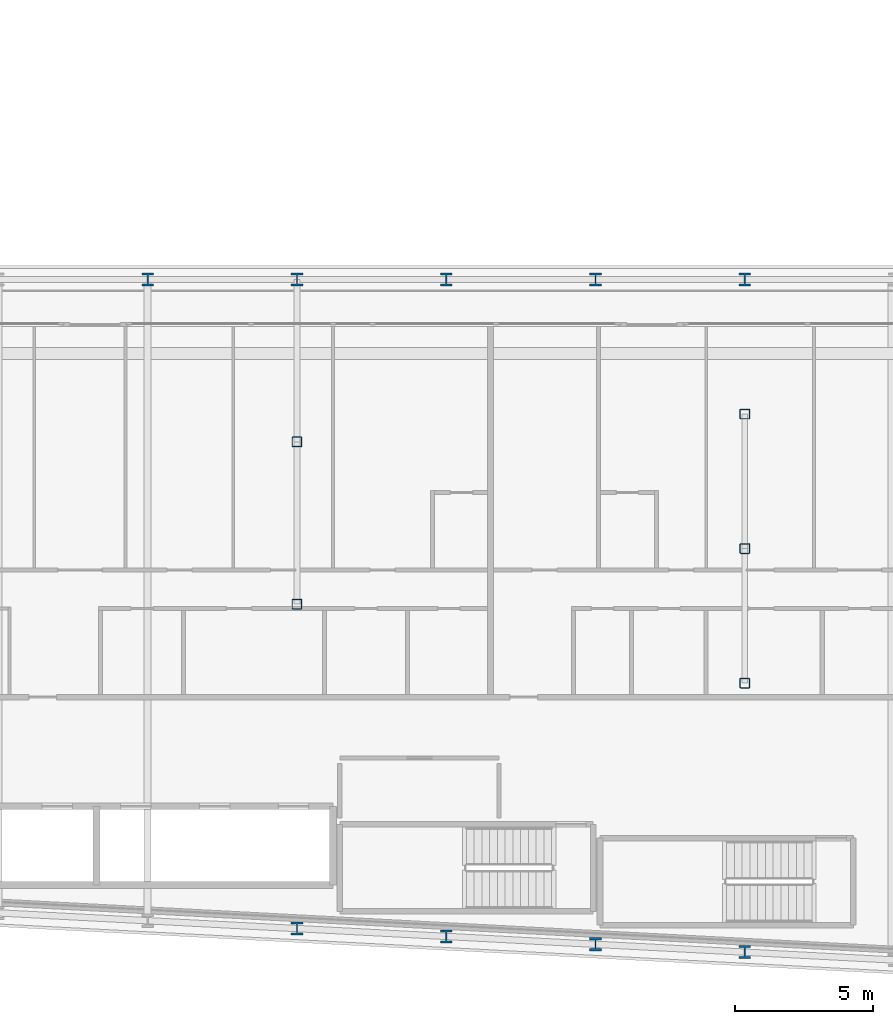
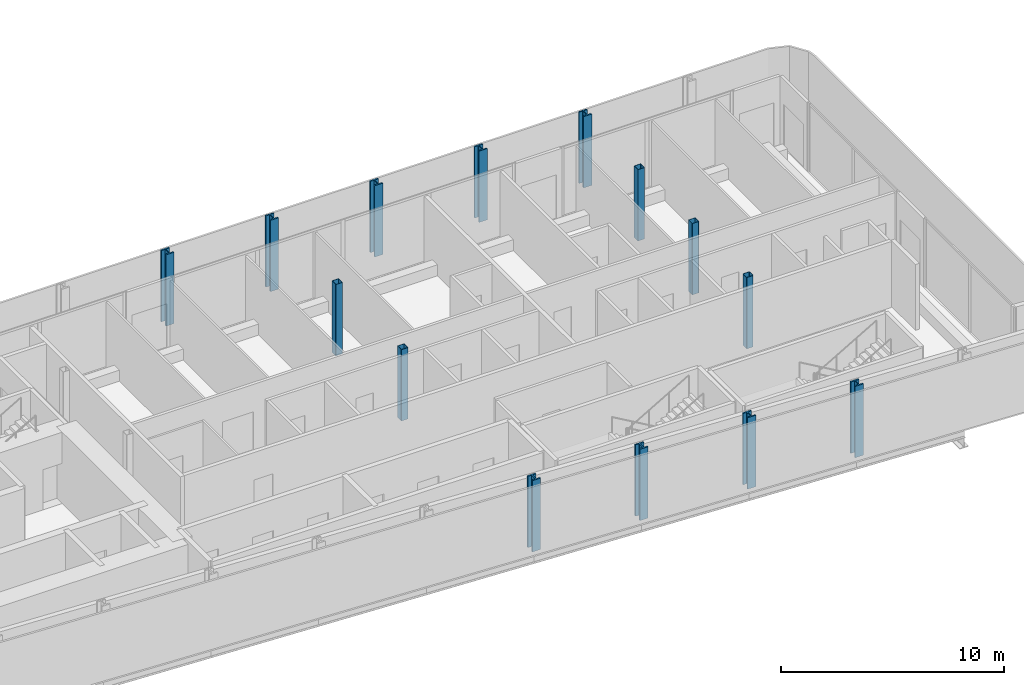
# One storey, part 2 of 27: 14 columns.
"""IFC4 building model written with IfcOpenShell, lengths in metres."""

from ifc_helpers import new_model, si_unit, direction, frame, origin, origin_2d, place, context, subcontext, project, spatial, hollow_rectangle, i_section, extrude, material, material_profile, profile_set, type_object, element, save


model = new_model("IFC4")

# Units and contexts
model_context = context("Model", 3, precision=1e-05, world=origin(), true_north=direction((0.0, 1.0)))
body_context = subcontext(model_context, "Body", "Model", "MODEL_VIEW")
ifc_project = project(units=[si_unit("LENGTHUNIT", "METRE"), si_unit("AREAUNIT", "SQUARE_METRE"), si_unit("VOLUMEUNIT", "CUBIC_METRE"), si_unit("PLANEANGLEUNIT", "RADIAN"), si_unit("MASSUNIT", "GRAM", prefix="KILO")], contexts=[model_context])

# Site, building, storey
site_placement = place(None, origin())
site = spatial("IfcSite", under=ifc_project, at=site_placement, CompositionType="ELEMENT")
building_placement = place(site_placement, origin())
building = spatial("IfcBuilding", under=site, at=building_placement, Name="Kheshtan School and Residences Tower", CompositionType="ELEMENT")
storey_placement = place(building_placement, frame((0.0, 0.0, 46.10009765625)))
storey = spatial("IfcBuildingStorey", under=building, at=storey_placement, Name="L10", CompositionType="ELEMENT", Elevation=46.10009765625)

# Columns
ifc_material_1 = material(Name="Steel ASTM A992 Grade 50", Category="steel")
ifc_material_profile_1 = material_profile(ifc_material_1, i_section(OverallWidth=0.424072265625, OverallDepth=0.47412109375, WebThickness=0.047607421875, FlangeThickness=0.0771484375, FilletRadius=0.01416015625, at=origin_2d()), Name="W360x634")
ifc_profile_set_1 = profile_set([ifc_material_profile_1], Name="Steel ASTM A992 Grade 50")
column_type_1 = type_object("IfcColumnType", Name="Column C1 W360x634 ASTM A992 Grade 50", PredefinedType="COLUMN", material=ifc_profile_set_1)
for number, where, z_axis, x_axis, name in (
    (1, (85.39990234375, 21.27392578125, 0.0), (0.0, 0.0, 1.0), (1.0, 0.0, 0.0), "Column C008"),
    (2, (80.0, 21.55810546875, 0.0), (0.0, 0.0, 1.0), (1.0, 0.0, 0.0), "Column C012"),
    (3, (74.60009765625, 21.843017578125, 0.0), (0.0, 0.0, 1.0), (1.0, 0.0, 0.0), "Column C013"),
    (4, (69.199951171875, 22.126953125, 0.0), (0.0, 0.0, 1.0), (1.0, 0.0, 0.0), "Column C014"),
    (5, (63.800048828125, 45.60009765625, 0.0), (0.0, 0.0, 1.0), (1.0, 0.0, 0.0), "Column C063"),
    (6, (69.199951171875, 45.60009765625, 0.0), (0.0, 0.0, 1.0), (1.0, 0.0, 0.0), "Column C064"),
    (7, (74.60009765625, 45.60009765625, 0.0), (0.0, 0.0, 1.0), (1.0, 0.0, 0.0), "Column C065"),
    (8, (80.0, 45.60009765625, 0.0), (0.0, 0.0, 1.0), (1.0, 0.0, 0.0), "Column C066"),
    (9, (85.39990234375, 45.60009765625, 0.0), (0.0, 0.0, 1.0), (1.0, 0.0, 0.0), "Column C067"),
):
    element("IfcColumn", number, at=place(storey_placement, frame(where, z_axis=z_axis, x_axis=x_axis)), inside=storey, type_object=column_type_1, Name=name, PredefinedType="COLUMN", context=body_context, shape_type="SweptSolid", body=[
        extrude(i_section(OverallWidth=0.424072265625, OverallDepth=0.47412109375, WebThickness=0.047607421875, FlangeThickness=0.0771484375, FilletRadius=0.01416015625, at=origin_2d()), origin(), (0.0, 0.0, 1.0), 3.89990234375),
    ])
ifc_material_2 = material(Name="Steel ASTM A500 Grade C", Category="steel")
ifc_material_profile_2 = material_profile(ifc_material_2, hollow_rectangle(XDim=0.35595703125, YDim=0.35595703125, WallThickness=0.015869140625, InnerFilletRadius=0.015869140625, OuterFilletRadius=0.03173828125, at=origin_2d()), Name="HSS 356x356x15.9")
ifc_profile_set_2 = profile_set([ifc_material_profile_2], Name="Steel ASTM A500 Grade C")
column_type_2 = type_object("IfcColumnType", Name="Column IC1 HSS 356x356x15.9 ASTM A500 Grade C", PredefinedType="COLUMN", material=ifc_profile_set_2)
for number, where, z_axis, x_axis, name in (
    (10, (85.39990234375, 31.0048828125, 0.0), (0.0, 0.0, 1.0), (1.0, 0.0, 0.0), "Column C049"),
    (11, (69.199951171875, 33.863037109375, 0.0), (0.0, 0.0, 1.0), (1.0, 0.0, 0.0), "Column C050"),
    (12, (85.39990234375, 35.8701171875, 0.0), (0.0, 0.0, 1.0), (1.0, 0.0, 0.0), "Column C053"),
    (13, (69.199951171875, 39.73193359375, 0.0), (0.0, 0.0, 1.0), (1.0, 0.0, 0.0), "Column C054"),
    (14, (85.39990234375, 40.735107421875, 0.0), (0.0, 0.0, 1.0), (1.0, 0.0, 0.0), "Column C057"),
):
    element("IfcColumn", number, at=place(storey_placement, frame(where, z_axis=z_axis, x_axis=x_axis)), inside=storey, type_object=column_type_2, Name=name, PredefinedType="COLUMN", context=body_context, shape_type="SweptSolid", body=[
        extrude(hollow_rectangle(XDim=0.35595703125, YDim=0.35595703125, WallThickness=0.015869140625, InnerFilletRadius=0.015869140625, OuterFilletRadius=0.03173828125, at=origin_2d()), origin(), (0.0, 0.0, 1.0), 3.89990234375),
    ])

save(model, "model.ifc")
